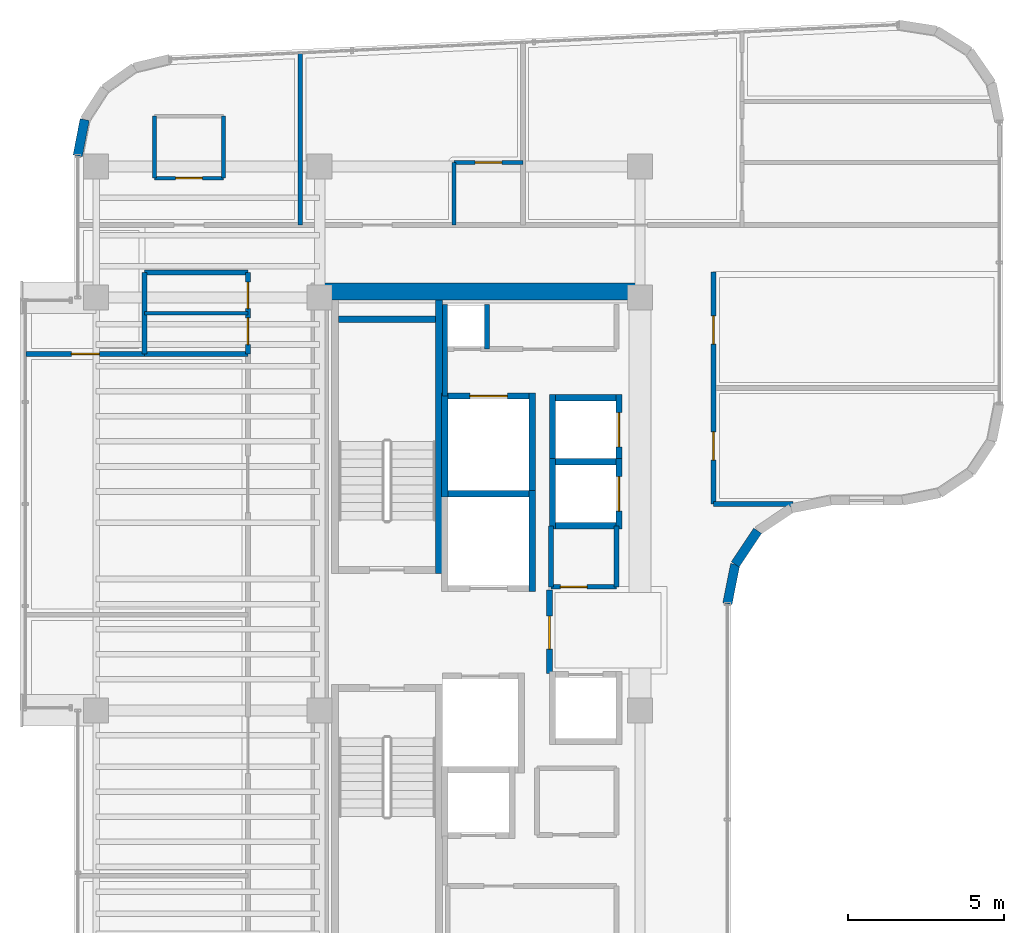
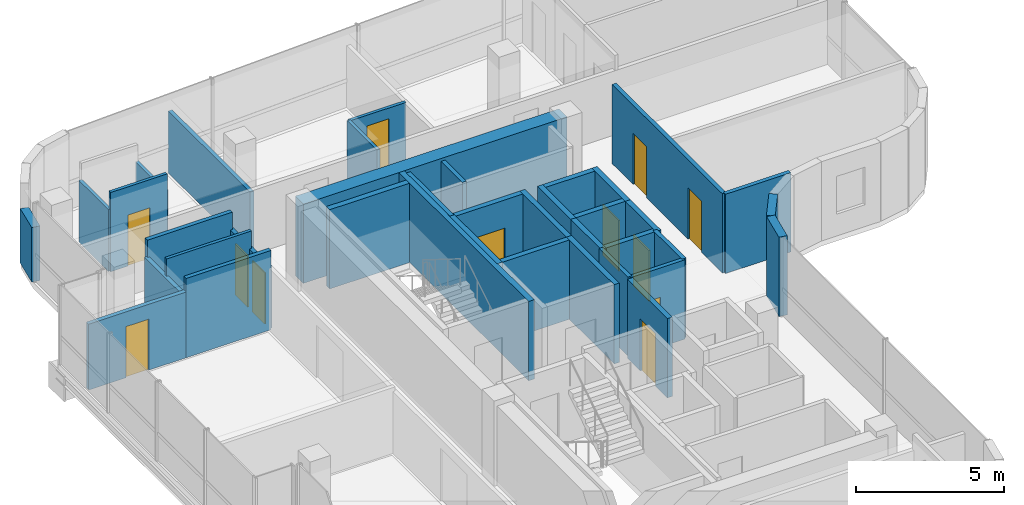
# One storey, part 15 of 18: 38 walls, 12 doors, 12 openings.
"""IFC4 building model written with IfcOpenShell, lengths in metres."""

from ifc_helpers import new_model, si_unit, direction, frame, frame_2d, origin, place, context, subcontext, project, spatial, rectangle, extrude, material, layer, layer_set, type_object, element, fill, save


model = new_model("IFC4")

# Units and contexts
model_context = context("Model", 3, precision=1e-05, world=origin(), true_north=direction((0.0, 1.0)))
body_context = subcontext(model_context, "Body", "Model", "MODEL_VIEW")
ifc_project = project(units=[si_unit("LENGTHUNIT", "METRE"), si_unit("AREAUNIT", "SQUARE_METRE"), si_unit("VOLUMEUNIT", "CUBIC_METRE"), si_unit("PLANEANGLEUNIT", "RADIAN"), si_unit("MASSUNIT", "GRAM", prefix="KILO")], contexts=[model_context])

# Site, building, storey
site_placement = place(None, origin())
site = spatial("IfcSite", under=ifc_project, at=site_placement, CompositionType="ELEMENT")
building_placement = place(site_placement, origin())
building = spatial("IfcBuilding", under=site, at=building_placement, Name="Valdorenza Pilgrim Sanctuary Tower", CompositionType="ELEMENT")
storey_placement = place(building_placement, frame((0.0, 0.0, 247.5)))
storey = spatial("IfcBuildingStorey", under=building, at=storey_placement, Name="L64", CompositionType="ELEMENT", Elevation=247.5)

# Walls
ifc_material_1 = material(Name="Acoustic twin-stud gypsum partition", Category="gypsum")
ifc_layer_1 = layer(ifc_material_1, 0.159912109375, Name="Acoustic twin-stud gypsum partition")
ifc_layer_set_1 = layer_set([ifc_layer_1], Name="Acoustic twin-stud gypsum partition")
wall_type_1 = type_object("IfcWallType", Name="WAL-COR-160", PredefinedType="PARTITIONING", material=ifc_layer_set_1)
wall_1_placement = place(storey_placement, frame((-18.64990234375, 7.449951171875, 0.0), z_axis=(0.0, 0.0, 1.0), x_axis=(0.0, 1.0, 0.0)))
element("IfcWall", 1, at=wall_1_placement, inside=storey, type_object=wall_type_1, Name="L64 Core A North Service West Wall", PredefinedType="PARTITIONING", context=body_context, shape_type="SweptSolid", body=[
    extrude(rectangle(XDim=2.929931640625, YDim=0.159912109375, at=frame_2d((1.46484375, 0.0))), origin(), (0.0, 0.0, 1.0), 3.260009765625),
])
wall_2_placement = place(storey_placement, frame((-17.300048828125, 8.949951171875, 0.0), z_axis=(0.0, 0.0, 1.0), x_axis=(0.0, 1.0, 0.0)))
element("IfcWall", 2, at=wall_2_placement, inside=storey, type_object=wall_type_1, Name="L64 Core Electrical Riser Wall", PredefinedType="PARTITIONING", context=body_context, shape_type="SweptSolid", body=[
    extrude(rectangle(XDim=1.429931640625, YDim=0.159912109375, at=frame_2d((0.71484375, 0.0))), origin(), (0.0, 0.0, 1.0), 3.260009765625),
])
wall_3_placement = place(storey_placement, frame((-13.14990234375, 1.35009765625, 0.0), z_axis=(0.0, 0.0, 1.0), x_axis=(0.0, 1.0, 0.0)))
element("IfcWall", 3, at=wall_3_placement, inside=storey, type_object=wall_type_1, Name="L64 Freed Shaft 6 East Wall", PredefinedType="PARTITIONING", context=body_context, shape_type="SweptSolid", body=[
    extrude(rectangle(XDim=1.949951171875, YDim=0.159912109375, at=frame_2d((0.97509765625, 0.0))), origin(), (0.0, 0.0, 1.0), 3.260009765625),
])
wall_4_placement = place(storey_placement, frame((-28.25, 8.800048828125, 0.0), z_axis=(0.0, 0.0, 1.0), x_axis=(0.0, 1.0, 0.0)))
element("IfcWall", 4, at=wall_4_placement, inside=storey, type_object=wall_type_1, Name="L64 Washroom West Wall", PredefinedType="PARTITIONING", context=body_context, shape_type="SweptSolid", body=[
    extrude(rectangle(XDim=2.599853515625, YDim=0.159912109375, at=frame_2d((1.2998046875, 0.0))), origin(), (0.0, 0.0, 1.0), 2.5439453125),
])

# Wall, openings, doors
wall_5_placement = place(storey_placement, frame((-24.949951171875, 8.800048828125, 0.0), z_axis=(0.0, 0.0, 1.0), x_axis=(0.0, 1.0, 0.0)))
wall_5 = element("IfcWall", 5, at=wall_5_placement, inside=storey, type_object=wall_type_1, Name="L64 Washroom East Wall", PredefinedType="PARTITIONING", context=body_context, shape_type="SweptSolid", body=[
    extrude(rectangle(XDim=2.599853515625, YDim=0.159912109375, at=frame_2d((1.2998046875, 0.0))), origin(), (0.0, 0.0, 1.0), 2.5439453125),
])
opening_1_placement = place(wall_5_placement, frame((0.300048828125, 0.0, 0.0)))
opening_1 = element("IfcOpeningElement", 6, at=opening_1_placement, cuts=wall_5, Name="Opening DR-WC1", PredefinedType="OPENING", context=body_context, shape_type="SweptSolid", body=[
    extrude(rectangle(XDim=0.85009765625, YDim=2.10009765625, at=frame_2d((0.425048828125, 1.050048828125))), frame((0.0, 0.0947265625, 0.0), z_axis=(0.0, -1.0, 0.0), x_axis=(1.0, 0.0, 0.0)), (0.0, 0.0, 1.0), 0.189697265625),
])
opening_2_placement = place(wall_5_placement, frame((1.449951171875, 0.0, 0.0)))
opening_2 = element("IfcOpeningElement", 7, at=opening_2_placement, cuts=wall_5, Name="Opening DR-WC1", PredefinedType="OPENING", context=body_context, shape_type="SweptSolid", body=[
    extrude(rectangle(XDim=0.85009765625, YDim=2.10009765625, at=frame_2d((0.425048828125, 1.050048828125))), frame((0.0, 0.0947265625, 0.0), z_axis=(0.0, -1.0, 0.0), x_axis=(1.0, 0.0, 0.0)), (0.0, 0.0, 1.0), 0.189697265625),
])
ifc_material_2 = material(Name="Moisture-resistant lacquered timber", Category="wood")
door_type_1 = type_object("IfcDoorType", Name="DR-BATH-850", OperationType="NOTDEFINED", PredefinedType="DOOR", material=ifc_material_2)
door_1_placement = place(opening_1_placement, origin())
door_1 = element("IfcDoor", 8, at=door_1_placement, inside=storey, type_object=door_type_1, Name="L64 Accessible Washroom Door", OperationType="SINGLE_SWING_RIGHT", OverallHeight=2.10009765625, OverallWidth=0.85009765625, PredefinedType="DOOR", context=body_context, shape_type="SweptSolid", body=[
    extrude(rectangle(XDim=0.85009765625, YDim=2.10009765625, at=frame_2d((0.425048828125, 1.050048828125))), frame((0.0, 0.02490234375, 0.0), z_axis=(0.0, -1.0, 0.0), x_axis=(1.0, 0.0, 0.0)), (0.0, 0.0, 1.0), 0.050048828125),
])
fill(opening_1, door_1)
door_2_placement = place(opening_2_placement, origin())
door_2 = element("IfcDoor", 9, at=door_2_placement, inside=storey, type_object=door_type_1, Name="L64 Public Washroom Door", OperationType="SINGLE_SWING_LEFT", OverallHeight=2.10009765625, OverallWidth=0.85009765625, PredefinedType="DOOR", context=body_context, shape_type="SweptSolid", body=[
    extrude(rectangle(XDim=0.85009765625, YDim=2.10009765625, at=frame_2d((0.425048828125, 1.050048828125))), frame((0.0, 0.02490234375, 0.0), z_axis=(0.0, -1.0, 0.0), x_axis=(1.0, 0.0, 0.0)), (0.0, 0.0, 1.0), 0.050048828125),
])
fill(opening_2, door_2)

# Walls
for number, where, z_axis, x_axis, name in (
    (10, (-28.25, 8.800048828125, 0.0), (0.0, 0.0, 1.0), (1.0, 0.0, 0.0), "L64 Washroom South Wall"),
    (11, (-28.25, 11.39990234375, 0.0), (0.0, 0.0, 1.0), (1.0, 0.0, 0.0), "L64 Washroom North Wall"),
):
    element("IfcWall", number, at=place(storey_placement, frame(where, z_axis=z_axis, x_axis=x_axis)), inside=storey, type_object=wall_type_1, Name=name, PredefinedType="PARTITIONING", context=body_context, shape_type="SweptSolid", body=[
        extrude(rectangle(XDim=3.300048828125, YDim=0.159912109375, at=frame_2d((1.64990234375, 0.0))), origin(), (0.0, 0.0, 1.0), 3.260009765625),
    ])

# Wall, opening, door
wall_6_placement = place(storey_placement, frame((-32.0400390625, 8.800048828125, 0.0), z_axis=(0.0, 0.0, 1.0), x_axis=(1.0, 0.0, 0.0)))
wall_6 = element("IfcWall", 12, at=wall_6_placement, inside=storey, type_object=wall_type_1, Name="L64 West North Alcove Wall", PredefinedType="PARTITIONING", context=body_context, shape_type="SweptSolid", body=[
    extrude(rectangle(XDim=3.7900390625, YDim=0.159912109375, at=frame_2d((1.89501953125, 0.0))), origin(), (0.0, 0.0, 1.0), 2.7060546875),
])
opening_3_placement = place(wall_6_placement, frame((1.445068359375, 0.0, 0.0)))
opening_3 = element("IfcOpeningElement", 13, at=opening_3_placement, cuts=wall_6, Name="Opening DR-RM1", PredefinedType="OPENING", context=body_context, shape_type="SweptSolid", body=[
    extrude(rectangle(XDim=0.89990234375, YDim=2.10009765625, at=frame_2d((0.449951171875, 1.050048828125))), frame((0.0, 0.0947265625, 0.0), z_axis=(0.0, -1.0, 0.0), x_axis=(1.0, 0.0, 0.0)), (0.0, 0.0, 1.0), 0.189697265625),
])
ifc_material_3 = material(Name="Solid-core European oak timber", Category="wood")
door_type_2 = type_object("IfcDoorType", Name="DR-ROOM-900", OperationType="NOTDEFINED", PredefinedType="DOOR", material=ifc_material_3)
door_3_placement = place(opening_3_placement, origin())
door_3 = element("IfcDoor", 14, at=door_3_placement, inside=storey, type_object=door_type_2, Name="L64 Pilgrim Scholar Office L64-WN Door", OperationType="SINGLE_SWING_RIGHT", OverallHeight=2.10009765625, OverallWidth=0.89990234375, PredefinedType="DOOR", context=body_context, shape_type="SweptSolid", body=[
    extrude(rectangle(XDim=0.89990234375, YDim=2.10009765625, at=frame_2d((0.449951171875, 1.050048828125))), frame((0.0, 0.02490234375, 0.0), z_axis=(0.0, -1.0, 0.0), x_axis=(1.0, 0.0, 0.0)), (0.0, 0.0, 1.0), 0.050048828125),
])
fill(opening_3, door_3)

# Wall, openings, doors
wall_7_placement = place(storey_placement, frame((-10.050048828125, 4.0, 0.0), z_axis=(0.0, 0.0, 1.0), x_axis=(0.0, 1.0, 0.0)))
wall_7 = element("IfcWall", 15, at=wall_7_placement, inside=storey, type_object=wall_type_1, Name="L64 East Stub Corridor Wall", PredefinedType="PARTITIONING", context=body_context, shape_type="SweptSolid", body=[
    extrude(rectangle(XDim=7.419921875, YDim=0.159912109375, at=frame_2d((3.7099609375, 0.0))), origin(), (0.0, 0.0, 1.0), 3.260009765625),
])
opening_4_placement = place(wall_7_placement, frame((1.405029296875, 0.0, 0.0)))
opening_4 = element("IfcOpeningElement", 16, at=opening_4_placement, cuts=wall_7, Name="Opening DR-RM1", PredefinedType="OPENING", context=body_context, shape_type="SweptSolid", body=[
    extrude(rectangle(XDim=0.89990234375, YDim=2.10009765625, at=frame_2d((0.449951171875, 1.050048828125))), frame((0.0, 0.0947265625, 0.0), z_axis=(0.0, -1.0, 0.0), x_axis=(1.0, 0.0, 0.0)), (0.0, 0.0, 1.0), 0.189697265625),
])
opening_5_placement = place(wall_7_placement, frame((5.114990234375, 0.0, 0.0)))
opening_5 = element("IfcOpeningElement", 17, at=opening_5_placement, cuts=wall_7, Name="Opening DR-RM1", PredefinedType="OPENING", context=body_context, shape_type="SweptSolid", body=[
    extrude(rectangle(XDim=0.89990234375, YDim=2.10009765625, at=frame_2d((0.449951171875, 1.050048828125))), frame((0.0, 0.0947265625, 0.0), z_axis=(0.0, -1.0, 0.0), x_axis=(1.0, 0.0, 0.0)), (0.0, 0.0, 1.0), 0.189697265625),
])
door_4_placement = place(opening_4_placement, frame((0.89990234375, 0.0, 0.0), z_axis=(0.0, 0.0, 1.0), x_axis=(-1.0, 0.0, 0.0)))
door_4 = element("IfcDoor", 18, at=door_4_placement, inside=storey, type_object=door_type_2, Name="L64 Sacred Art Exhibition Gallery L64-E1 Door", OperationType="SINGLE_SWING_LEFT", OverallHeight=2.10009765625, OverallWidth=0.89990234375, PredefinedType="DOOR", context=body_context, shape_type="SweptSolid", body=[
    extrude(rectangle(XDim=0.89990234375, YDim=2.10009765625, at=frame_2d((0.449951171875, 1.050048828125))), frame((0.0, 0.02490234375, 0.0), z_axis=(0.0, -1.0, 0.0), x_axis=(1.0, 0.0, 0.0)), (0.0, 0.0, 1.0), 0.050048828125),
])
fill(opening_4, door_4)
door_5_placement = place(opening_5_placement, origin())
door_5 = element("IfcDoor", 19, at=door_5_placement, inside=storey, type_object=door_type_2, Name="L64 Sacred Art Exhibition Gallery L64-E2 Door", OperationType="SINGLE_SWING_RIGHT", OverallHeight=2.10009765625, OverallWidth=0.89990234375, PredefinedType="DOOR", context=body_context, shape_type="SweptSolid", body=[
    extrude(rectangle(XDim=0.89990234375, YDim=2.10009765625, at=frame_2d((0.449951171875, 1.050048828125))), frame((0.0, 0.02490234375, 0.0), z_axis=(0.0, -1.0, 0.0), x_axis=(1.0, 0.0, 0.0)), (0.0, 0.0, 1.0), 0.050048828125),
])
fill(opening_5, door_5)

# Walls
wall_8_placement = place(storey_placement, frame((-10.050048828125, 4.0, 0.0), z_axis=(0.0, 0.0, 1.0), x_axis=(1.0, 0.0, 0.0)))
element("IfcWall", 20, at=wall_8_placement, inside=storey, type_object=wall_type_1, Name="L64 East Stub South Wall", PredefinedType="PARTITIONING", context=body_context, shape_type="SweptSolid", body=[
    extrude(rectangle(XDim=2.545654296875, YDim=0.159912109375, at=frame_2d((1.27294921875, 0.0))), origin(), (0.0, 0.0, 1.0), 3.260009765625),
])
ifc_material_4 = material(Name="Concrete C50/60", Category="concrete")
ifc_layer_2 = layer(ifc_material_4, 0.550048828125, Name="Concrete C50/60")
ifc_layer_set_2 = layer_set([ifc_layer_2], Name="Concrete C50/60")
wall_type_2 = type_object("IfcWallType", Name="WAL-COR-550", PredefinedType="SHEAR", material=ifc_layer_set_2)
wall_9_placement = place(storey_placement, frame((-22.64990234375, 10.800048828125, 0.0), z_axis=(0.0, 0.0, 1.0), x_axis=(1.0, 0.0, 0.0)))
element("IfcWall", 21, at=wall_9_placement, inside=storey, type_object=wall_type_2, Name="L64 Split Core A Shear Wall N", PredefinedType="SHEAR", context=body_context, shape_type="SweptSolid", body=[
    extrude(rectangle(XDim=10.25, YDim=0.550048828125, at=frame_2d((5.125, 0.0))), origin(), (0.0, 0.0, 1.0), 3.260009765625),
])
ifc_material_5 = material(Name="Honed travertine limestone", Category="masonry")
ifc_layer_3 = layer(ifc_material_5, 0.300048828125, Name="Honed travertine limestone")
ifc_layer_set_3 = layer_set([ifc_layer_3], Name="Honed travertine limestone")
wall_type_3 = type_object("IfcWallType", Name="WAL-EXT-300", PredefinedType="SOLIDWALL", material=ifc_layer_set_3)
wall_10_placement = place(storey_placement, frame((-30.389892578125, 15.13671875, 0.0), z_axis=(0.0, 0.0, 1.0), x_axis=(0.189307792679, 0.981917796779, 0.0)))
element("IfcWall", 22, at=wall_10_placement, inside=storey, type_object=wall_type_3, Name="L64 Rounded Wind-Corner Stone Pier 2", PredefinedType="SOLIDWALL", context=body_context, shape_type="SweptSolid", body=[
    extrude(rectangle(XDim=1.179931640625, YDim=0.300048828125, at=frame_2d((0.58984375, 0.0))), origin(), (0.0, 0.0, 1.0), 2.2451171875),
])
wall_11_placement = place(storey_placement, frame((-8.64208984375, 3.14208984375, 0.0), z_axis=(0.0, 0.0, 1.0), x_axis=(-0.555528135371, -0.831497739511, 0.0)))
element("IfcWall", 23, at=wall_11_placement, inside=storey, type_object=wall_type_3, Name="L64 Rounded Wind-Corner Stone Pier 19", PredefinedType="SOLIDWALL", context=body_context, shape_type="SweptSolid", body=[
    extrude(rectangle(XDim=1.29248046875, YDim=0.300048828125, at=frame_2d((0.646240234375, 0.0))), origin(), (0.0, 0.0, 1.0), 3.260009765625),
])
wall_12_placement = place(storey_placement, frame((-9.360107421875, 2.0673828125, 0.0), z_axis=(0.0, 0.0, 1.0), x_axis=(-0.195126623715, -0.980778058848, 0.0)))
element("IfcWall", 24, at=wall_12_placement, inside=storey, type_object=wall_type_3, Name="L64 Rounded Wind-Corner Stone Pier 20", PredefinedType="SOLIDWALL", context=body_context, shape_type="SweptSolid", body=[
    extrude(rectangle(XDim=1.28125, YDim=0.300048828125, at=frame_2d((0.640625, 0.0))), origin(), (0.0, 0.0, 1.0), 3.260009765625),
])

# Wall, opening, door
ifc_material_6 = material(Name="Gypsum shaftwall partition", Category="gypsum")
ifc_layer_4 = layer(ifc_material_6, 0.199951171875, Name="Gypsum shaftwall partition")
ifc_layer_set_4 = layer_set([ifc_layer_4], Name="Gypsum shaftwall partition")
wall_type_4 = type_object("IfcWallType", Name="WAL-FFL-200", PredefinedType="PARTITIONING", material=ifc_layer_set_4)
wall_13_placement = place(storey_placement, frame((-15.300048828125, -1.419921875, 0.0), z_axis=(0.0, 0.0, 1.0), x_axis=(0.0, 1.0, 0.0)))
wall_13 = element("IfcWall", 25, at=wall_13_placement, inside=storey, type_object=wall_type_4, Name="L64 Core A Firefighting Lobby East Wall", PredefinedType="PARTITIONING", context=body_context, shape_type="SweptSolid", body=[
    extrude(rectangle(XDim=2.669921875, YDim=0.199951171875, at=frame_2d((1.3349609375, 0.0))), origin(), (0.0, 0.0, 1.0), 3.260009765625),
])
opening_6_placement = place(wall_13_placement, frame((0.780029296875, 0.0, 0.0)))
opening_6 = element("IfcOpeningElement", 26, at=opening_6_placement, cuts=wall_13, Name="Opening DR-FL1", PredefinedType="OPENING", context=body_context, shape_type="SweptSolid", body=[
    extrude(rectangle(XDim=1.050048828125, YDim=2.14990234375, at=frame_2d((0.52490234375, 1.074951171875))), frame((0.0, 0.11474609375, 0.0), z_axis=(0.0, -1.0, 0.0), x_axis=(1.0, 0.0, 0.0)), (0.0, 0.0, 1.0), 0.229736328125),
])
ifc_material_7 = material(Name="Painted galvanized steel", Category="steel")
door_type_3 = type_object("IfcDoorType", Name="DR-FFL-1050", OperationType="NOTDEFINED", PredefinedType="DOOR", material=ifc_material_7)
door_6_placement = place(opening_6_placement, origin())
door_6 = element("IfcDoor", 27, at=door_6_placement, inside=storey, type_object=door_type_3, Name="L64 Core A Firefighting Lobby Door", OperationType="SINGLE_SWING_RIGHT", OverallHeight=2.14990234375, OverallWidth=1.050048828125, PredefinedType="DOOR", context=body_context, shape_type="SweptSolid", body=[
    extrude(rectangle(XDim=1.050048828125, YDim=2.14990234375, at=frame_2d((0.52490234375, 1.074951171875))), frame((0.0, 0.02490234375, 0.0), z_axis=(0.0, -1.0, 0.0), x_axis=(1.0, 0.0, 0.0)), (0.0, 0.0, 1.0), 0.050048828125),
])
fill(opening_6, door_6)

# Walls
ifc_material_8 = material(Name="Moisture-resistant gypsum partition", Category="gypsum")
ifc_layer_5 = layer(ifc_material_8, 0.1201171875, Name="Moisture-resistant gypsum partition")
ifc_layer_set_5 = layer_set([ifc_layer_5], Name="Moisture-resistant gypsum partition")
wall_type_5 = type_object("IfcWallType", Name="WAL-INT-120", PredefinedType="PARTITIONING", material=ifc_layer_set_5)
wall_14_placement = place(storey_placement, frame((-28.25, 10.10009765625, 0.0), z_axis=(0.0, 0.0, 1.0), x_axis=(1.0, 0.0, 0.0)))
element("IfcWall", 28, at=wall_14_placement, inside=storey, type_object=wall_type_5, Name="L64 Washroom Divider Wall", PredefinedType="PARTITIONING", context=body_context, shape_type="SweptSolid", body=[
    extrude(rectangle(XDim=3.300048828125, YDim=0.1201171875, at=frame_2d((1.64990234375, 0.0))), origin(), (0.0, 0.0, 1.0), 3.260009765625),
])
for number, where, z_axis, x_axis, name in (
    (29, (-27.929931640625, 14.419921875, 0.0), (0.0, 0.0, 1.0), (0.0, 1.0, 0.0), "L64 North Sanctuary Guest Room L64-N1A En-suite West Wall"),
    (30, (-25.72998046875, 14.419921875, 0.0), (0.0, 0.0, 1.0), (0.0, 1.0, 0.0), "L64 North Sanctuary Guest Room L64-N1A En-suite East Wall"),
):
    element("IfcWall", number, at=place(storey_placement, frame(where, z_axis=z_axis, x_axis=x_axis)), inside=storey, type_object=wall_type_5, Name=name, PredefinedType="PARTITIONING", context=body_context, shape_type="SweptSolid", body=[
        extrude(rectangle(XDim=1.984130859375, YDim=0.1201171875, at=frame_2d((0.9921875, 0.0))), origin(), (0.0, 0.0, 1.0), 2.5439453125),
    ])

# Wall, opening, door
wall_15_placement = place(storey_placement, frame((-27.929931640625, 14.419921875, 0.0), z_axis=(0.0, 0.0, 1.0), x_axis=(1.0, 0.0, 0.0)))
wall_15 = element("IfcWall", 31, at=wall_15_placement, inside=storey, type_object=wall_type_5, Name="L64 North Sanctuary Guest Room L64-N1A En-suite Door Wall", PredefinedType="PARTITIONING", context=body_context, shape_type="SweptSolid", body=[
    extrude(rectangle(XDim=2.199951171875, YDim=0.1201171875, at=frame_2d((1.10009765625, 0.0))), origin(), (0.0, 0.0, 1.0), 3.260009765625),
])
opening_7_placement = place(wall_15_placement, frame((0.675048828125, 0.0, 0.0)))
opening_7 = element("IfcOpeningElement", 32, at=opening_7_placement, cuts=wall_15, Name="Opening DR-WC1", PredefinedType="OPENING", context=body_context, shape_type="SweptSolid", body=[
    extrude(rectangle(XDim=0.85009765625, YDim=2.10009765625, at=frame_2d((0.425048828125, 1.050048828125))), frame((0.0, 0.074951171875, 0.0), z_axis=(0.0, -1.0, 0.0), x_axis=(1.0, 0.0, 0.0)), (0.0, 0.0, 1.0), 0.14990234375),
])
door_7_placement = place(opening_7_placement, origin())
door_7 = element("IfcDoor", 33, at=door_7_placement, inside=storey, type_object=door_type_1, Name="L64 North Sanctuary Guest Room L64-N1A En-suite Bathroom Door", OperationType="SINGLE_SWING_RIGHT", OverallHeight=2.10009765625, OverallWidth=0.85009765625, PredefinedType="DOOR", context=body_context, shape_type="SweptSolid", body=[
    extrude(rectangle(XDim=0.85009765625, YDim=2.10009765625, at=frame_2d((0.425048828125, 1.050048828125))), frame((0.0, 0.02490234375, 0.0), z_axis=(0.0, -1.0, 0.0), x_axis=(1.0, 0.0, 0.0)), (0.0, 0.0, 1.0), 0.050048828125),
])
fill(opening_7, door_7)

# Wall
wall_16_placement = place(storey_placement, frame((-18.35009765625, 12.919921875, 0.0), z_axis=(0.0, 0.0, 1.0), x_axis=(0.0, 1.0, 0.0)))
element("IfcWall", 34, at=wall_16_placement, inside=storey, type_object=wall_type_5, Name="L64 North Sanctuary Guest Room L64-N1B En-suite West Wall", PredefinedType="PARTITIONING", context=body_context, shape_type="SweptSolid", body=[
    extrude(rectangle(XDim=2.0, YDim=0.1201171875, at=frame_2d((1.0, 0.0))), origin(), (0.0, 0.0, 1.0), 2.5439453125),
])

# Wall, opening, door
wall_17_placement = place(storey_placement, frame((-18.35009765625, 14.919921875, 0.0), z_axis=(0.0, 0.0, 1.0), x_axis=(1.0, 0.0, 0.0)))
wall_17 = element("IfcWall", 35, at=wall_17_placement, inside=storey, type_object=wall_type_5, Name="L64 North Sanctuary Guest Room L64-N1B En-suite Door Wall", PredefinedType="PARTITIONING", context=body_context, shape_type="SweptSolid", body=[
    extrude(rectangle(XDim=2.2001953125, YDim=0.1201171875, at=frame_2d((1.10009765625, 0.0))), origin(), (0.0, 0.0, 1.0), 2.5439453125),
])
opening_8_placement = place(wall_17_placement, frame((0.675048828125, 0.0, 0.0)))
opening_8 = element("IfcOpeningElement", 36, at=opening_8_placement, cuts=wall_17, Name="Opening DR-WC1", PredefinedType="OPENING", context=body_context, shape_type="SweptSolid", body=[
    extrude(rectangle(XDim=0.85009765625, YDim=2.10009765625, at=frame_2d((0.425048828125, 1.050048828125))), frame((0.0, 0.074951171875, 0.0), z_axis=(0.0, -1.0, 0.0), x_axis=(1.0, 0.0, 0.0)), (0.0, 0.0, 1.0), 0.14990234375),
])
door_8_placement = place(opening_8_placement, origin())
door_8 = element("IfcDoor", 37, at=door_8_placement, inside=storey, type_object=door_type_1, Name="L64 North Sanctuary Guest Room L64-N1B En-suite Bathroom Door", OperationType="SINGLE_SWING_RIGHT", OverallHeight=2.10009765625, OverallWidth=0.85009765625, PredefinedType="DOOR", context=body_context, shape_type="SweptSolid", body=[
    extrude(rectangle(XDim=0.85009765625, YDim=2.10009765625, at=frame_2d((0.425048828125, 1.050048828125))), frame((0.0, 0.02490234375, 0.0), z_axis=(0.0, -1.0, 0.0), x_axis=(1.0, 0.0, 0.0)), (0.0, 0.0, 1.0), 0.050048828125),
])
fill(opening_8, door_8)

# Walls
ifc_material_9 = material(Name="Autoclaved aerated concrete blockwork", Category="masonry")
ifc_layer_6 = layer(ifc_material_9, 0.199951171875, Name="Autoclaved aerated concrete blockwork")
ifc_layer_set_6 = layer_set([ifc_layer_6], Name="Autoclaved aerated concrete blockwork")
wall_type_6 = type_object("IfcWallType", Name="WAL-SHF-200", PredefinedType="MOVABLE", material=ifc_layer_set_6)
wall_18_placement = place(storey_placement, frame((-15.85009765625, 1.199951171875, 0.0), z_axis=(0.0, 0.0, 1.0), x_axis=(0.0, 1.0, 0.0)))
element("IfcWall", 38, at=wall_18_placement, inside=storey, type_object=wall_type_6, Name="L64 Lift FFL-01 Hoistway Wall East", PredefinedType="MOVABLE", context=body_context, shape_type="SweptSolid", body=[
    extrude(rectangle(XDim=3.22509765625, YDim=0.199951171875, at=frame_2d((1.612548828125, 0.0))), origin(), (0.0, 0.0, 1.0), 3.260009765625),
])
wall_19_placement = place(storey_placement, frame((-18.550048828125, 4.324951171875, 0.0), z_axis=(0.0, 0.0, 1.0), x_axis=(1.0, 0.0, 0.0)))
element("IfcWall", 39, at=wall_19_placement, inside=storey, type_object=wall_type_6, Name="L64 Lift FFL-01 Hoistway Wall North", PredefinedType="MOVABLE", context=body_context, shape_type="SweptSolid", body=[
    extrude(rectangle(XDim=2.60009765625, YDim=0.199951171875, at=frame_2d((1.300048828125, 0.0))), origin(), (0.0, 0.0, 1.0), 3.260009765625),
])
for number, where, z_axis, x_axis, name in (
    (40, (-18.64990234375, 4.22509765625, 0.0), (0.0, 0.0, 1.0), (0.0, 1.0, 0.0), "L64 Lift SVL-01 Hoistway Wall West"),
    (41, (-15.85009765625, 4.22509765625, 0.0), (0.0, 0.0, 1.0), (0.0, 1.0, 0.0), "L64 Lift SVL-01 Hoistway Wall East"),
):
    element("IfcWall", number, at=place(storey_placement, frame(where, z_axis=z_axis, x_axis=x_axis)), inside=storey, type_object=wall_type_6, Name=name, PredefinedType="MOVABLE", context=body_context, shape_type="SweptSolid", body=[
        extrude(rectangle(XDim=3.324951171875, YDim=0.199951171875, at=frame_2d((1.66259765625, 0.0))), origin(), (0.0, 0.0, 1.0), 3.260009765625),
    ])

# Wall, opening, door
wall_20_placement = place(storey_placement, frame((-18.550048828125, 7.449951171875, 0.0), z_axis=(0.0, 0.0, 1.0), x_axis=(1.0, 0.0, 0.0)))
wall_20 = element("IfcWall", 42, at=wall_20_placement, inside=storey, type_object=wall_type_6, Name="L64 Lift SVL-01 Hoistway Wall North", PredefinedType="MOVABLE", context=body_context, shape_type="SweptSolid", body=[
    extrude(rectangle(XDim=2.60009765625, YDim=0.199951171875, at=frame_2d((1.300048828125, 0.0))), origin(), (0.0, 0.0, 1.0), 3.260009765625),
])
opening_9_placement = place(wall_20_placement, frame((0.699951171875, 0.0, 0.0)))
opening_9 = element("IfcOpeningElement", 43, at=opening_9_placement, cuts=wall_20, Name="Opening LD-02", PredefinedType="OPENING", context=body_context, shape_type="SweptSolid", body=[
    extrude(rectangle(XDim=1.199951171875, YDim=2.10009765625, at=frame_2d((0.60009765625, 1.050048828125))), frame((0.0, 0.11474609375, 0.0), z_axis=(0.0, -1.0, 0.0), x_axis=(1.0, 0.0, 0.0)), (0.0, 0.0, 1.0), 0.229736328125),
])
ifc_material_10 = material(Name="Brushed stainless steel Grade 316", Category="steel")
door_type_4 = type_object("IfcDoorType", Name="DR-LFT-1200", OperationType="DOUBLE_DOOR_SLIDING", PredefinedType="DOOR", material=ifc_material_10)
door_9_placement = place(opening_9_placement, origin())
door_9 = element("IfcDoor", 44, at=door_9_placement, inside=storey, type_object=door_type_4, Name="L64 Lift SVL-01 Sliding Landing Door", OperationType="DOUBLE_DOOR_SLIDING", OverallHeight=2.10009765625, OverallWidth=1.199951171875, PredefinedType="DOOR", context=body_context, shape_type="SweptSolid", body=[
    extrude(rectangle(XDim=1.199951171875, YDim=2.10009765625, at=frame_2d((0.60009765625, 1.050048828125))), frame((0.0, 0.02490234375, 0.0), z_axis=(0.0, -1.0, 0.0), x_axis=(1.0, 0.0, 0.0)), (0.0, 0.0, 1.0), 0.050048828125),
])
fill(opening_9, door_9)

# Wall
wall_21_placement = place(storey_placement, frame((-15.199951171875, 3.199951171875, 0.0), z_axis=(0.0, 0.0, 1.0), x_axis=(0.0, 1.0, 0.0)))
element("IfcWall", 45, at=wall_21_placement, inside=storey, type_object=wall_type_6, Name="L64 Lift PL-09 Hoistway Wall West", PredefinedType="MOVABLE", context=body_context, shape_type="SweptSolid", body=[
    extrude(rectangle(XDim=2.25, YDim=0.199951171875, at=frame_2d((1.125, 0.0))), origin(), (0.0, 0.0, 1.0), 3.260009765625),
])

# Wall, opening, door
wall_22_placement = place(storey_placement, frame((-13.080078125, 3.199951171875, 0.0), z_axis=(0.0, 0.0, 1.0), x_axis=(0.0, 1.0, 0.0)))
wall_22 = element("IfcWall", 46, at=wall_22_placement, inside=storey, type_object=wall_type_6, Name="L64 Lift PL-09 Hoistway Wall East", PredefinedType="MOVABLE", context=body_context, shape_type="SweptSolid", body=[
    extrude(rectangle(XDim=2.25, YDim=0.199951171875, at=frame_2d((1.125, 0.0))), origin(), (0.0, 0.0, 1.0), 3.260009765625),
])
opening_10_placement = place(wall_22_placement, frame((0.574951171875, 0.0, 0.0)))
opening_10 = element("IfcOpeningElement", 47, at=opening_10_placement, cuts=wall_22, Name="Opening LD-01", PredefinedType="OPENING", context=body_context, shape_type="SweptSolid", body=[
    extrude(rectangle(XDim=1.10009765625, YDim=2.10009765625, at=frame_2d((0.550048828125, 1.050048828125))), frame((0.0, 0.11474609375, 0.0), z_axis=(0.0, -1.0, 0.0), x_axis=(1.0, 0.0, 0.0)), (0.0, 0.0, 1.0), 0.229736328125),
])
door_type_5 = type_object("IfcDoorType", Name="DR-LFT-1100", OperationType="DOUBLE_DOOR_SLIDING", PredefinedType="DOOR", material=ifc_material_10)
door_10_placement = place(opening_10_placement, origin())
door_10 = element("IfcDoor", 48, at=door_10_placement, inside=storey, type_object=door_type_5, Name="L64 Lift PL-09 Sliding Landing Door", OperationType="DOUBLE_DOOR_SLIDING", OverallHeight=2.10009765625, OverallWidth=1.10009765625, PredefinedType="DOOR", context=body_context, shape_type="SweptSolid", body=[
    extrude(rectangle(XDim=1.10009765625, YDim=2.10009765625, at=frame_2d((0.550048828125, 1.050048828125))), frame((0.0, 0.02490234375, 0.0), z_axis=(0.0, -1.0, 0.0), x_axis=(1.0, 0.0, 0.0)), (0.0, 0.0, 1.0), 0.050048828125),
])
fill(opening_10, door_10)

# Walls
for number, where, z_axis, x_axis, name in (
    (49, (-15.10009765625, 3.300048828125, 0.0), (0.0, 0.0, 1.0), (1.0, 0.0, 0.0), "L64 Lift PL-09 Hoistway Wall South"),
    (50, (-15.10009765625, 5.35009765625, 0.0), (0.0, 0.0, 1.0), (1.0, 0.0, 0.0), "L64 Lift PL-09 Hoistway Wall North"),
):
    element("IfcWall", number, at=place(storey_placement, frame(where, z_axis=z_axis, x_axis=x_axis)), inside=storey, type_object=wall_type_6, Name=name, PredefinedType="MOVABLE", context=body_context, shape_type="SweptSolid", body=[
        extrude(rectangle(XDim=1.920166015625, YDim=0.199951171875, at=frame_2d((0.9599609375, 0.0))), origin(), (0.0, 0.0, 1.0), 3.260009765625),
    ])
wall_23_placement = place(storey_placement, frame((-15.199951171875, 5.25, 0.0), z_axis=(0.0, 0.0, 1.0), x_axis=(0.0, 1.0, 0.0)))
element("IfcWall", 51, at=wall_23_placement, inside=storey, type_object=wall_type_6, Name="L64 Lift PL-10 Hoistway Wall West", PredefinedType="MOVABLE", context=body_context, shape_type="SweptSolid", body=[
    extrude(rectangle(XDim=2.25, YDim=0.199951171875, at=frame_2d((1.125, 0.0))), origin(), (0.0, 0.0, 1.0), 3.260009765625),
])

# Wall, opening, door
wall_24_placement = place(storey_placement, frame((-13.080078125, 5.25, 0.0), z_axis=(0.0, 0.0, 1.0), x_axis=(0.0, 1.0, 0.0)))
wall_24 = element("IfcWall", 52, at=wall_24_placement, inside=storey, type_object=wall_type_6, Name="L64 Lift PL-10 Hoistway Wall East", PredefinedType="MOVABLE", context=body_context, shape_type="SweptSolid", body=[
    extrude(rectangle(XDim=2.25, YDim=0.199951171875, at=frame_2d((1.125, 0.0))), origin(), (0.0, 0.0, 1.0), 3.260009765625),
])
opening_11_placement = place(wall_24_placement, frame((0.574951171875, 0.0, 0.0)))
opening_11 = element("IfcOpeningElement", 53, at=opening_11_placement, cuts=wall_24, Name="Opening LD-01", PredefinedType="OPENING", context=body_context, shape_type="SweptSolid", body=[
    extrude(rectangle(XDim=1.10009765625, YDim=2.10009765625, at=frame_2d((0.550048828125, 1.050048828125))), frame((0.0, 0.11474609375, 0.0), z_axis=(0.0, -1.0, 0.0), x_axis=(1.0, 0.0, 0.0)), (0.0, 0.0, 1.0), 0.229736328125),
])
door_11_placement = place(opening_11_placement, origin())
door_11 = element("IfcDoor", 54, at=door_11_placement, inside=storey, type_object=door_type_5, Name="L64 Lift PL-10 Sliding Landing Door", OperationType="DOUBLE_DOOR_SLIDING", OverallHeight=2.10009765625, OverallWidth=1.10009765625, PredefinedType="DOOR", context=body_context, shape_type="SweptSolid", body=[
    extrude(rectangle(XDim=1.10009765625, YDim=2.10009765625, at=frame_2d((0.550048828125, 1.050048828125))), frame((0.0, 0.02490234375, 0.0), z_axis=(0.0, -1.0, 0.0), x_axis=(1.0, 0.0, 0.0)), (0.0, 0.0, 1.0), 0.050048828125),
])
fill(opening_11, door_11)

# Walls
wall_25_placement = place(storey_placement, frame((-15.10009765625, 7.39990234375, 0.0), z_axis=(0.0, 0.0, 1.0), x_axis=(1.0, 0.0, 0.0)))
element("IfcWall", 55, at=wall_25_placement, inside=storey, type_object=wall_type_6, Name="L64 Lift PL-10 Hoistway Wall North", PredefinedType="MOVABLE", context=body_context, shape_type="SweptSolid", body=[
    extrude(rectangle(XDim=1.920166015625, YDim=0.199951171875, at=frame_2d((0.9599609375, 0.0))), origin(), (0.0, 0.0, 1.0), 3.260009765625),
])
ifc_material_11 = material(Name="Concrete C40/50", Category="concrete")
ifc_layer_7 = layer(ifc_material_11, 0.219970703125, Name="Concrete C40/50")
ifc_layer_set_7 = layer_set([ifc_layer_7], Name="Concrete C40/50")
wall_type_7 = type_object("IfcWallType", Name="WAL-STR-SHF-220", PredefinedType="SHEAR", material=ifc_layer_set_7)
wall_26_placement = place(storey_placement, frame((-18.830078125, 1.780029296875, 0.0), z_axis=(0.0, 0.0, 1.0), x_axis=(0.0, 1.0, 0.0)))
element("IfcWall", 56, at=wall_26_placement, inside=storey, type_object=wall_type_7, Name="L64 ST-A1 Structural Stairwell Wall E", PredefinedType="SHEAR", context=body_context, shape_type="SweptSolid", body=[
    extrude(rectangle(XDim=8.744873046875, YDim=0.219970703125, at=frame_2d((4.37255859375, 0.0))), origin(), (0.0, 0.0, 1.0), 3.260009765625),
])
wall_27_placement = place(storey_placement, frame((-22.050048828125, 9.909912109375, 0.0), z_axis=(0.0, 0.0, 1.0), x_axis=(1.0, 0.0, 0.0)))
element("IfcWall", 57, at=wall_27_placement, inside=storey, type_object=wall_type_7, Name="L64 ST-A1 Structural Stairwell Wall N", PredefinedType="SHEAR", context=body_context, shape_type="SweptSolid", body=[
    extrude(rectangle(XDim=3.110107421875, YDim=0.219970703125, at=frame_2d((1.55517578125, 0.0))), origin(), (0.0, 0.0, 1.0), 3.260009765625),
])
ifc_layer_8 = layer(ifc_material_1, 0.14990234375, Name="Acoustic twin-stud gypsum partition")
ifc_layer_set_8 = layer_set([ifc_layer_8], Name="Acoustic twin-stud gypsum partition")
wall_type_8 = type_object("IfcWallType", Name="WAL-UNT-150", PredefinedType="PARTITIONING", material=ifc_layer_set_8)
wall_28_placement = place(storey_placement, frame((-15.25, 1.35009765625, 0.0), z_axis=(0.0, 0.0, 1.0), x_axis=(0.0, 1.0, 0.0)))
element("IfcWall", 58, at=wall_28_placement, inside=storey, type_object=wall_type_8, Name="L64 Freed Shaft 6 West Wall", PredefinedType="PARTITIONING", context=body_context, shape_type="SweptSolid", body=[
    extrude(rectangle(XDim=1.949951171875, YDim=0.14990234375, at=frame_2d((0.97509765625, 0.0))), origin(), (0.0, 0.0, 1.0), 3.260009765625),
])

# Wall, opening, door
wall_29_placement = place(storey_placement, frame((-15.25, 1.35009765625, 0.0), z_axis=(0.0, 0.0, 1.0), x_axis=(1.0, 0.0, 0.0)))
wall_29 = element("IfcWall", 59, at=wall_29_placement, inside=storey, type_object=wall_type_8, Name="L64 Freed Shaft 6 South Wall", PredefinedType="PARTITIONING", context=body_context, shape_type="SweptSolid", body=[
    extrude(rectangle(XDim=2.10009765625, YDim=0.14990234375, at=frame_2d((1.050048828125, 0.0))), origin(), (0.0, 0.0, 1.0), 3.260009765625),
])
opening_12_placement = place(wall_29_placement, frame((0.300048828125, 0.0, 0.0)))
opening_12 = element("IfcOpeningElement", 60, at=opening_12_placement, cuts=wall_29, Name="Opening DR-RS1", PredefinedType="OPENING", context=body_context, shape_type="SweptSolid", body=[
    extrude(rectangle(XDim=0.85009765625, YDim=2.050048828125, at=frame_2d((0.425048828125, 1.02490234375))), frame((0.0, 0.08984375, 0.0), z_axis=(0.0, -1.0, 0.0), x_axis=(1.0, 0.0, 0.0)), (0.0, 0.0, 1.0), 0.1796875),
])
door_type_6 = type_object("IfcDoorType", Name="DR-RSR-850", OperationType="NOTDEFINED", PredefinedType="DOOR", material=ifc_material_7)
door_12_placement = place(opening_12_placement, origin())
door_12 = element("IfcDoor", 61, at=door_12_placement, inside=storey, type_object=door_type_6, Name="L64 High-Rise Butler Pantry Door", OperationType="SINGLE_SWING_LEFT", OverallHeight=2.050048828125, OverallWidth=0.85009765625, PredefinedType="DOOR", context=body_context, shape_type="SweptSolid", body=[
    extrude(rectangle(XDim=0.85009765625, YDim=2.050048828125, at=frame_2d((0.425048828125, 1.02490234375))), frame((0.0, 0.02490234375, 0.0), z_axis=(0.0, -1.0, 0.0), x_axis=(1.0, 0.0, 0.0)), (0.0, 0.0, 1.0), 0.050048828125),
])
fill(opening_12, door_12)

# Wall
wall_30_placement = place(storey_placement, frame((-23.27001953125, 12.919921875, 0.0), z_axis=(0.0, 0.0, 1.0), x_axis=(0.0, 1.0, 0.0)))
element("IfcWall", 62, at=wall_30_placement, inside=storey, type_object=wall_type_8, Name="L64 North Sanctuary Guest Room L64-N1 Split Wall", PredefinedType="PARTITIONING", context=body_context, shape_type="SweptSolid", body=[
    extrude(rectangle(XDim=5.5107421875, YDim=0.14990234375, at=frame_2d((2.75537109375, 0.0))), origin(), (0.0, 0.0, 1.0), 2.5439453125),
])

save(model, "model.ifc")
